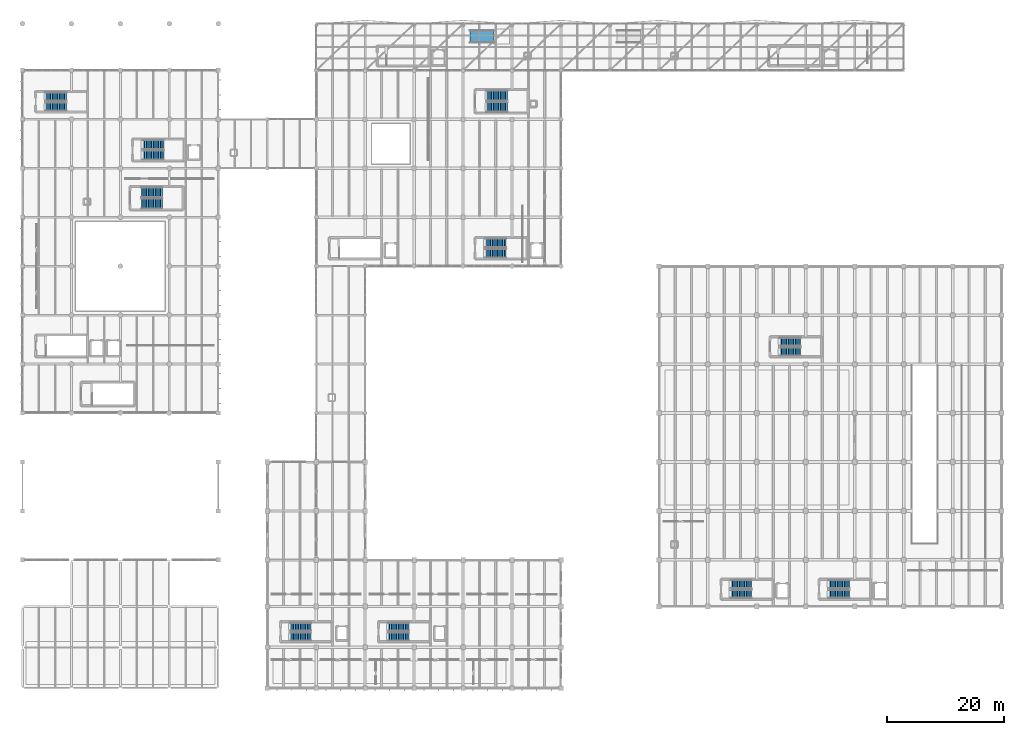
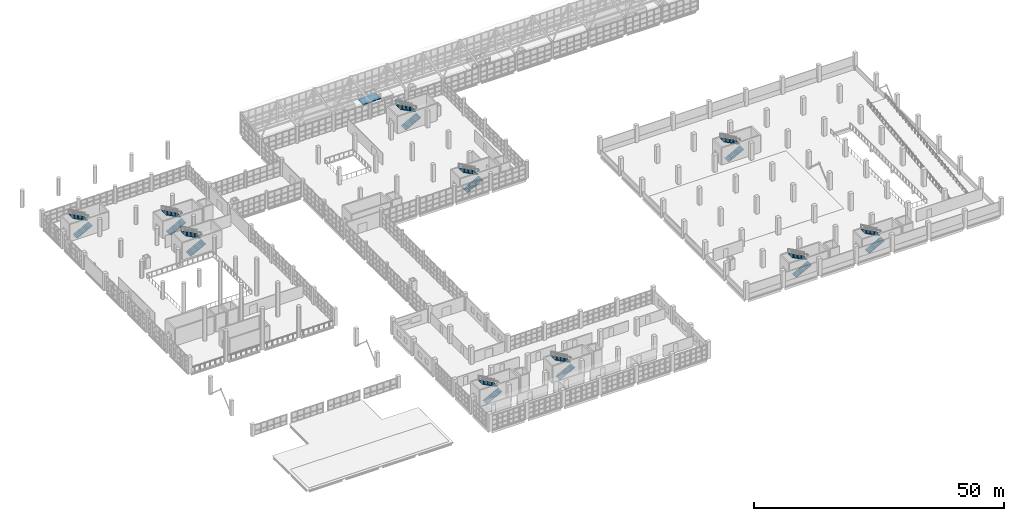
# One storey, part 156 of 177: 20 stair flights, 1 ramp flight, 11 elements without a shape of their own.
"""IFC4 building model written with IfcOpenShell, lengths in metres."""

from ifc_helpers import new_model, si_unit, direction, frame, origin, place, context, subcontext, project, spatial, polyline, outline, extrude, material, layer, layer_set, type_object, element, aggregate, save


model = new_model("IFC4")

# Units and contexts
model_context = context("Model", 3, precision=1e-05, world=origin(), true_north=direction((0.0, 1.0)))
body_context = subcontext(model_context, "Body", "Model", "MODEL_VIEW")
ifc_project = project(units=[si_unit("LENGTHUNIT", "METRE"), si_unit("AREAUNIT", "SQUARE_METRE"), si_unit("VOLUMEUNIT", "CUBIC_METRE"), si_unit("PLANEANGLEUNIT", "RADIAN"), si_unit("MASSUNIT", "GRAM", prefix="KILO"), si_unit("THERMODYNAMICTEMPERATUREUNIT", "KELVIN"), si_unit("POWERUNIT", "WATT")], contexts=[model_context])

# Site, building, storey
site_placement = place(None, origin())
site = spatial("IfcSite", under=ifc_project, at=site_placement, CompositionType="ELEMENT")
building_placement = place(site_placement, origin())
building = spatial("IfcBuilding", under=site, at=building_placement, Name="Mavoryth Pier Ferry Terminal", CompositionType="ELEMENT")
storey_placement = place(building_placement, frame((0.0, 0.0, 5.43994140625)))
storey = spatial("IfcBuildingStorey", under=building, at=storey_placement, Name="L01", CompositionType="ELEMENT", Elevation=5.43994140625)

# Stair, stair flights
ifc_material = material(Name="Concrete C35/45", Category="concrete")
stair_type_1 = type_object("IfcStairType", Name="Stair-Core-W1500", PredefinedType="TWO_STRAIGHT_RUN_STAIR", material=ifc_material)
stair_1_placement = place(storey_placement, origin())
stair_1 = element("IfcStair", 1, at=stair_1_placement, inside=storey, type_object=stair_type_1, Name="L01 Core C4A Stair", PredefinedType="TWO_STRAIGHT_RUN_STAIR")
ifc_layer_1 = layer(ifc_material, 0.14990234375, Name="Concrete C35/45", Category="concrete")
ifc_layer_set_1 = layer_set([ifc_layer_1], Name="Concrete C35/45 - Flight-Core-W1500")
stair_flight_type_1 = type_object("IfcStairFlightType", Name="Flight-Core-W1500", PredefinedType="STRAIGHT", material=ifc_layer_set_1)
stair_flight_1_placement = place(storey_placement, frame((121.5, 16.14990234375, 0.0), z_axis=(0.0, 0.0, 1.0), x_axis=(1.0, 0.0, 0.0)))
stair_flight_1 = element("IfcStairFlight", 2, at=stair_flight_1_placement, type_object=stair_flight_type_1, Name="ST08 flight 1", NumberOfRisers=13, NumberOfTreads=12, PredefinedType="STRAIGHT", RiserHeight=0.16, TreadLength=0.3, context=body_context, shape_type="SweptSolid", body=[
    extrude(outline(polyline([(0.0, 0.0), (0.0, 0.159912109375), (0.300048828125, 0.159912109375), (0.300048828125, 0.320068359375), (0.60009765625, 0.320068359375), (0.60009765625, 0.47998046875), (0.89990234375, 0.47998046875), (0.89990234375, 0.639892578125), (1.199951171875, 0.639892578125), (1.199951171875, 0.800048828125), (1.5, 0.800048828125), (1.5, 0.9599609375), (1.800048828125, 0.9599609375), (1.800048828125, 1.1201171875), (2.10009765625, 1.1201171875), (2.10009765625, 1.280029296875), (2.39990234375, 1.280029296875), (2.39990234375, 1.43994140625), (2.699951171875, 1.43994140625), (2.699951171875, 1.60009765625), (3.0, 1.60009765625), (3.0, 1.760009765625), (3.300048828125, 1.760009765625), (3.300048828125, 1.919921875), (3.60009765625, 1.919921875), (3.60009765625, 2.080078125), (3.60009765625, 1.75), (0.318603515625, 0.0), (0.0, 0.0)])), frame((0.0, 0.75, 0.0), z_axis=(0.0, -1.0, 0.0), x_axis=(1.0, 0.0, 0.0)), (0.0, 0.0, 1.0), 1.5),
])
stair_flight_2_placement = place(storey_placement, frame((125.10009765625, 17.800048828125, 2.080078125), z_axis=(0.0, 0.0, 1.0), x_axis=(-1.0, 0.0, 0.0)))
stair_flight_2 = element("IfcStairFlight", 3, at=stair_flight_2_placement, type_object=stair_flight_type_1, Name="ST08 flight 2", NumberOfRisers=13, NumberOfTreads=12, PredefinedType="STRAIGHT", RiserHeight=0.16, TreadLength=0.3, context=body_context, shape_type="SweptSolid", body=[
    extrude(outline(polyline([(0.0, 0.0), (0.0, 0.159912109375), (0.300048828125, 0.159912109375), (0.300048828125, 0.320068359375), (0.60009765625, 0.320068359375), (0.60009765625, 0.47998046875), (0.89990234375, 0.47998046875), (0.89990234375, 0.639892578125), (1.199951171875, 0.639892578125), (1.199951171875, 0.800048828125), (1.5, 0.800048828125), (1.5, 0.9599609375), (1.800048828125, 0.9599609375), (1.800048828125, 1.1201171875), (2.10009765625, 1.1201171875), (2.10009765625, 1.280029296875), (2.39990234375, 1.280029296875), (2.39990234375, 1.43994140625), (2.699951171875, 1.43994140625), (2.699951171875, 1.60009765625), (3.0, 1.60009765625), (3.0, 1.760009765625), (3.300048828125, 1.760009765625), (3.300048828125, 1.919921875), (3.60009765625, 1.919921875), (3.60009765625, 2.080078125), (3.60009765625, 1.75), (0.318603515625, 0.0), (0.0, 0.0)])), frame((0.0, 0.75, 0.0), z_axis=(0.0, -1.0, 0.0), x_axis=(1.0, 0.0, 0.0)), (0.0, 0.0, 1.0), 1.5),
])
aggregate(stair_1, [stair_flight_1, stair_flight_2])

stair_2_placement = place(storey_placement, origin())
stair_2 = element("IfcStair", 4, at=stair_2_placement, inside=storey, type_object=stair_type_1, Name="L01 Core C4B Stair", PredefinedType="TWO_STRAIGHT_RUN_STAIR")
stair_flight_3_placement = place(storey_placement, frame((138.300048828125, 16.14990234375, 0.0), z_axis=(0.0, 0.0, 1.0), x_axis=(1.0, 0.0, 0.0)))
stair_flight_3 = element("IfcStairFlight", 5, at=stair_flight_3_placement, type_object=stair_flight_type_1, Name="ST09 flight 1", NumberOfRisers=13, NumberOfTreads=12, PredefinedType="STRAIGHT", RiserHeight=0.16, TreadLength=0.3, context=body_context, shape_type="SweptSolid", body=[
    extrude(outline(polyline([(0.0, 0.0), (0.0, 0.159912109375), (0.300048828125, 0.159912109375), (0.300048828125, 0.320068359375), (0.60009765625, 0.320068359375), (0.60009765625, 0.47998046875), (0.89990234375, 0.47998046875), (0.89990234375, 0.639892578125), (1.199951171875, 0.639892578125), (1.199951171875, 0.800048828125), (1.5, 0.800048828125), (1.5, 0.9599609375), (1.800048828125, 0.9599609375), (1.800048828125, 1.1201171875), (2.10009765625, 1.1201171875), (2.10009765625, 1.280029296875), (2.39990234375, 1.280029296875), (2.39990234375, 1.43994140625), (2.699951171875, 1.43994140625), (2.699951171875, 1.60009765625), (3.0, 1.60009765625), (3.0, 1.760009765625), (3.300048828125, 1.760009765625), (3.300048828125, 1.919921875), (3.60009765625, 1.919921875), (3.60009765625, 2.080078125), (3.60009765625, 1.75), (0.318603515625, 0.0), (0.0, 0.0)])), frame((0.0, 0.75, 0.0), z_axis=(0.0, -1.0, 0.0), x_axis=(1.0, 0.0, 0.0)), (0.0, 0.0, 1.0), 1.5),
])
stair_flight_4_placement = place(storey_placement, frame((141.89990234375, 17.800048828125, 2.080078125), z_axis=(0.0, 0.0, 1.0), x_axis=(-1.0, 0.0, 0.0)))
stair_flight_4 = element("IfcStairFlight", 6, at=stair_flight_4_placement, type_object=stair_flight_type_1, Name="ST09 flight 2", NumberOfRisers=13, NumberOfTreads=12, PredefinedType="STRAIGHT", RiserHeight=0.16, TreadLength=0.3, context=body_context, shape_type="SweptSolid", body=[
    extrude(outline(polyline([(0.0, 0.0), (0.0, 0.159912109375), (0.300048828125, 0.159912109375), (0.300048828125, 0.320068359375), (0.60009765625, 0.320068359375), (0.60009765625, 0.47998046875), (0.89990234375, 0.47998046875), (0.89990234375, 0.639892578125), (1.199951171875, 0.639892578125), (1.199951171875, 0.800048828125), (1.5, 0.800048828125), (1.5, 0.9599609375), (1.800048828125, 0.9599609375), (1.800048828125, 1.1201171875), (2.10009765625, 1.1201171875), (2.10009765625, 1.280029296875), (2.39990234375, 1.280029296875), (2.39990234375, 1.43994140625), (2.699951171875, 1.43994140625), (2.699951171875, 1.60009765625), (3.0, 1.60009765625), (3.0, 1.760009765625), (3.300048828125, 1.760009765625), (3.300048828125, 1.919921875), (3.60009765625, 1.919921875), (3.60009765625, 2.080078125), (3.60009765625, 1.75), (0.318603515625, 0.0), (0.0, 0.0)])), frame((0.0, 0.75, 0.0), z_axis=(0.0, -1.0, 0.0), x_axis=(1.0, 0.0, 0.0)), (0.0, 0.0, 1.0), 1.5),
])
aggregate(stair_2, [stair_flight_3, stair_flight_4])

stair_3_placement = place(storey_placement, origin())
stair_3 = element("IfcStair", 7, at=stair_3_placement, inside=storey, type_object=stair_type_1, Name="L01 Core C4C Stair", PredefinedType="TWO_STRAIGHT_RUN_STAIR")
stair_flight_5_placement = place(storey_placement, frame((129.89990234375, 57.75, 0.0), z_axis=(0.0, 0.0, 1.0), x_axis=(1.0, 0.0, 0.0)))
stair_flight_5 = element("IfcStairFlight", 8, at=stair_flight_5_placement, type_object=stair_flight_type_1, Name="ST10 flight 1", NumberOfRisers=13, NumberOfTreads=12, PredefinedType="STRAIGHT", RiserHeight=0.16, TreadLength=0.3, context=body_context, shape_type="SweptSolid", body=[
    extrude(outline(polyline([(0.0, 0.0), (0.0, 0.159912109375), (0.300048828125, 0.159912109375), (0.300048828125, 0.320068359375), (0.60009765625, 0.320068359375), (0.60009765625, 0.47998046875), (0.89990234375, 0.47998046875), (0.89990234375, 0.639892578125), (1.199951171875, 0.639892578125), (1.199951171875, 0.800048828125), (1.5, 0.800048828125), (1.5, 0.9599609375), (1.800048828125, 0.9599609375), (1.800048828125, 1.1201171875), (2.10009765625, 1.1201171875), (2.10009765625, 1.280029296875), (2.39990234375, 1.280029296875), (2.39990234375, 1.43994140625), (2.699951171875, 1.43994140625), (2.699951171875, 1.60009765625), (3.0, 1.60009765625), (3.0, 1.760009765625), (3.300048828125, 1.760009765625), (3.300048828125, 1.919921875), (3.60009765625, 1.919921875), (3.60009765625, 2.080078125), (3.60009765625, 1.75), (0.318603515625, 0.0), (0.0, 0.0)])), frame((0.0, 0.75, 0.0), z_axis=(0.0, -1.0, 0.0), x_axis=(1.0, 0.0, 0.0)), (0.0, 0.0, 1.0), 1.5),
])
stair_flight_6_placement = place(storey_placement, frame((133.5, 59.39990234375, 2.080078125), z_axis=(0.0, 0.0, 1.0), x_axis=(-1.0, 0.0, 0.0)))
stair_flight_6 = element("IfcStairFlight", 9, at=stair_flight_6_placement, type_object=stair_flight_type_1, Name="ST10 flight 2", NumberOfRisers=13, NumberOfTreads=12, PredefinedType="STRAIGHT", RiserHeight=0.16, TreadLength=0.3, context=body_context, shape_type="SweptSolid", body=[
    extrude(outline(polyline([(0.0, 0.0), (0.0, 0.159912109375), (0.300048828125, 0.159912109375), (0.300048828125, 0.320068359375), (0.60009765625, 0.320068359375), (0.60009765625, 0.47998046875), (0.89990234375, 0.47998046875), (0.89990234375, 0.639892578125), (1.199951171875, 0.639892578125), (1.199951171875, 0.800048828125), (1.5, 0.800048828125), (1.5, 0.9599609375), (1.800048828125, 0.9599609375), (1.800048828125, 1.1201171875), (2.10009765625, 1.1201171875), (2.10009765625, 1.280029296875), (2.39990234375, 1.280029296875), (2.39990234375, 1.43994140625), (2.699951171875, 1.43994140625), (2.699951171875, 1.60009765625), (3.0, 1.60009765625), (3.0, 1.760009765625), (3.300048828125, 1.760009765625), (3.300048828125, 1.919921875), (3.60009765625, 1.919921875), (3.60009765625, 2.080078125), (3.60009765625, 1.75), (0.318603515625, 0.0), (0.0, 0.0)])), frame((0.0, 0.75, 0.0), z_axis=(0.0, -1.0, 0.0), x_axis=(1.0, 0.0, 0.0)), (0.0, 0.0, 1.0), 1.5),
])
aggregate(stair_3, [stair_flight_5, stair_flight_6])

stair_4_placement = place(storey_placement, origin())
stair_4 = element("IfcStair", 10, at=stair_4_placement, inside=storey, type_object=stair_type_1, Name="L01 Core C5A Stair", PredefinedType="TWO_STRAIGHT_RUN_STAIR")
stair_flight_7_placement = place(storey_placement, frame((45.89990234375, 8.85009765625, 0.0), z_axis=(0.0, 0.0, 1.0), x_axis=(1.0, 0.0, 0.0)))
stair_flight_7 = element("IfcStairFlight", 11, at=stair_flight_7_placement, type_object=stair_flight_type_1, Name="ST11 flight 1", NumberOfRisers=13, NumberOfTreads=12, PredefinedType="STRAIGHT", RiserHeight=0.16, TreadLength=0.3, context=body_context, shape_type="SweptSolid", body=[
    extrude(outline(polyline([(0.0, 0.0), (0.0, 0.159912109375), (0.300048828125, 0.159912109375), (0.300048828125, 0.320068359375), (0.60009765625, 0.320068359375), (0.60009765625, 0.47998046875), (0.89990234375, 0.47998046875), (0.89990234375, 0.639892578125), (1.199951171875, 0.639892578125), (1.199951171875, 0.800048828125), (1.5, 0.800048828125), (1.5, 0.9599609375), (1.800048828125, 0.9599609375), (1.800048828125, 1.1201171875), (2.10009765625, 1.1201171875), (2.10009765625, 1.280029296875), (2.39990234375, 1.280029296875), (2.39990234375, 1.43994140625), (2.699951171875, 1.43994140625), (2.699951171875, 1.60009765625), (3.0, 1.60009765625), (3.0, 1.760009765625), (3.300048828125, 1.760009765625), (3.300048828125, 1.919921875), (3.60009765625, 1.919921875), (3.60009765625, 2.080078125), (3.60009765625, 1.75), (0.318603515625, 0.0), (0.0, 0.0)])), frame((0.0, 0.75, 0.0), z_axis=(0.0, -1.0, 0.0), x_axis=(1.0, 0.0, 0.0)), (0.0, 0.0, 1.0), 1.5),
])
stair_flight_8_placement = place(storey_placement, frame((49.5, 10.5, 2.080078125), z_axis=(0.0, 0.0, 1.0), x_axis=(-1.0, 0.0, 0.0)))
stair_flight_8 = element("IfcStairFlight", 12, at=stair_flight_8_placement, type_object=stair_flight_type_1, Name="ST11 flight 2", NumberOfRisers=13, NumberOfTreads=12, PredefinedType="STRAIGHT", RiserHeight=0.16, TreadLength=0.3, context=body_context, shape_type="SweptSolid", body=[
    extrude(outline(polyline([(0.0, 0.0), (0.0, 0.159912109375), (0.300048828125, 0.159912109375), (0.300048828125, 0.320068359375), (0.60009765625, 0.320068359375), (0.60009765625, 0.47998046875), (0.89990234375, 0.47998046875), (0.89990234375, 0.639892578125), (1.199951171875, 0.639892578125), (1.199951171875, 0.800048828125), (1.5, 0.800048828125), (1.5, 0.9599609375), (1.800048828125, 0.9599609375), (1.800048828125, 1.1201171875), (2.10009765625, 1.1201171875), (2.10009765625, 1.280029296875), (2.39990234375, 1.280029296875), (2.39990234375, 1.43994140625), (2.699951171875, 1.43994140625), (2.699951171875, 1.60009765625), (3.0, 1.60009765625), (3.0, 1.760009765625), (3.300048828125, 1.760009765625), (3.300048828125, 1.919921875), (3.60009765625, 1.919921875), (3.60009765625, 2.080078125), (3.60009765625, 1.75), (0.318603515625, 0.0), (0.0, 0.0)])), frame((0.0, 0.75, 0.0), z_axis=(0.0, -1.0, 0.0), x_axis=(1.0, 0.0, 0.0)), (0.0, 0.0, 1.0), 1.5),
])
aggregate(stair_4, [stair_flight_7, stair_flight_8])

stair_5_placement = place(storey_placement, origin())
stair_5 = element("IfcStair", 13, at=stair_5_placement, inside=storey, type_object=stair_type_1, Name="L01 Core C5B Stair", PredefinedType="TWO_STRAIGHT_RUN_STAIR")
stair_flight_9_placement = place(storey_placement, frame((62.699951171875, 8.85009765625, 0.0), z_axis=(0.0, 0.0, 1.0), x_axis=(1.0, 0.0, 0.0)))
stair_flight_9 = element("IfcStairFlight", 14, at=stair_flight_9_placement, type_object=stair_flight_type_1, Name="ST12 flight 1", NumberOfRisers=13, NumberOfTreads=12, PredefinedType="STRAIGHT", RiserHeight=0.16, TreadLength=0.3, context=body_context, shape_type="SweptSolid", body=[
    extrude(outline(polyline([(0.0, 0.0), (0.0, 0.159912109375), (0.300048828125, 0.159912109375), (0.300048828125, 0.320068359375), (0.60009765625, 0.320068359375), (0.60009765625, 0.47998046875), (0.89990234375, 0.47998046875), (0.89990234375, 0.639892578125), (1.199951171875, 0.639892578125), (1.199951171875, 0.800048828125), (1.5, 0.800048828125), (1.5, 0.9599609375), (1.800048828125, 0.9599609375), (1.800048828125, 1.1201171875), (2.10009765625, 1.1201171875), (2.10009765625, 1.280029296875), (2.39990234375, 1.280029296875), (2.39990234375, 1.43994140625), (2.699951171875, 1.43994140625), (2.699951171875, 1.60009765625), (3.0, 1.60009765625), (3.0, 1.760009765625), (3.300048828125, 1.760009765625), (3.300048828125, 1.919921875), (3.60009765625, 1.919921875), (3.60009765625, 2.080078125), (3.60009765625, 1.75), (0.318603515625, 0.0), (0.0, 0.0)])), frame((0.0, 0.75, 0.0), z_axis=(0.0, -1.0, 0.0), x_axis=(1.0, 0.0, 0.0)), (0.0, 0.0, 1.0), 1.5),
])
stair_flight_10_placement = place(storey_placement, frame((66.300048828125, 10.5, 2.080078125), z_axis=(0.0, 0.0, 1.0), x_axis=(-1.0, 0.0, 0.0)))
stair_flight_10 = element("IfcStairFlight", 15, at=stair_flight_10_placement, type_object=stair_flight_type_1, Name="ST12 flight 2", NumberOfRisers=13, NumberOfTreads=12, PredefinedType="STRAIGHT", RiserHeight=0.16, TreadLength=0.3, context=body_context, shape_type="SweptSolid", body=[
    extrude(outline(polyline([(0.0, 0.0), (0.0, 0.159912109375), (0.300048828125, 0.159912109375), (0.300048828125, 0.320068359375), (0.60009765625, 0.320068359375), (0.60009765625, 0.47998046875), (0.89990234375, 0.47998046875), (0.89990234375, 0.639892578125), (1.199951171875, 0.639892578125), (1.199951171875, 0.800048828125), (1.5, 0.800048828125), (1.5, 0.9599609375), (1.800048828125, 0.9599609375), (1.800048828125, 1.1201171875), (2.10009765625, 1.1201171875), (2.10009765625, 1.280029296875), (2.39990234375, 1.280029296875), (2.39990234375, 1.43994140625), (2.699951171875, 1.43994140625), (2.699951171875, 1.60009765625), (3.0, 1.60009765625), (3.0, 1.760009765625), (3.300048828125, 1.760009765625), (3.300048828125, 1.919921875), (3.60009765625, 1.919921875), (3.60009765625, 2.080078125), (3.60009765625, 1.75), (0.318603515625, 0.0), (0.0, 0.0)])), frame((0.0, 0.75, 0.0), z_axis=(0.0, -1.0, 0.0), x_axis=(1.0, 0.0, 0.0)), (0.0, 0.0, 1.0), 1.5),
])
aggregate(stair_5, [stair_flight_9, stair_flight_10])

stair_type_2 = type_object("IfcStairType", Name="Stair-Core-W1550", PredefinedType="TWO_STRAIGHT_RUN_STAIR", material=ifc_material)
stair_6_placement = place(storey_placement, origin())
stair_6 = element("IfcStair", 16, at=stair_6_placement, inside=storey, type_object=stair_type_2, Name="L01 Core C1C Stair", PredefinedType="TWO_STRAIGHT_RUN_STAIR")
ifc_layer_2 = layer(ifc_material, 0.14990234375, Name="Concrete C35/45", Category="concrete")
ifc_layer_set_2 = layer_set([ifc_layer_2], Name="Concrete C35/45 - Flight-Core-W1550")
stair_flight_type_2 = type_object("IfcStairFlightType", Name="Flight-Core-W1550", PredefinedType="STRAIGHT", material=ifc_layer_set_2)
stair_flight_11_placement = place(storey_placement, frame((3.949951171875, 99.77490234375, 0.0), z_axis=(0.0, 0.0, 1.0), x_axis=(1.0, 0.0, 0.0)))
stair_flight_11 = element("IfcStairFlight", 17, at=stair_flight_11_placement, type_object=stair_flight_type_2, Name="ST03 flight 1", NumberOfRisers=13, NumberOfTreads=12, PredefinedType="STRAIGHT", RiserHeight=0.16, TreadLength=0.3, context=body_context, shape_type="SweptSolid", body=[
    extrude(outline(polyline([(0.0, 0.0), (0.0, 0.159912109375), (0.300048828125, 0.159912109375), (0.300048828125, 0.320068359375), (0.60009765625, 0.320068359375), (0.60009765625, 0.47998046875), (0.89990234375, 0.47998046875), (0.89990234375, 0.639892578125), (1.199951171875, 0.639892578125), (1.199951171875, 0.800048828125), (1.5, 0.800048828125), (1.5, 0.9599609375), (1.800048828125, 0.9599609375), (1.800048828125, 1.1201171875), (2.10009765625, 1.1201171875), (2.10009765625, 1.280029296875), (2.39990234375, 1.280029296875), (2.39990234375, 1.43994140625), (2.699951171875, 1.43994140625), (2.699951171875, 1.60009765625), (3.0, 1.60009765625), (3.0, 1.760009765625), (3.300048828125, 1.760009765625), (3.300048828125, 1.919921875), (3.60009765625, 1.919921875), (3.60009765625, 2.080078125), (3.60009765625, 1.75), (0.318603515625, 0.0), (0.0, 0.0)])), frame((0.0, 0.77490234375, 0.0), z_axis=(0.0, -1.0, 0.0), x_axis=(1.0, 0.0, 0.0)), (0.0, 0.0, 1.0), 1.550048828125),
])
stair_flight_12_placement = place(storey_placement, frame((7.550048828125, 101.47509765625, 2.080078125), z_axis=(0.0, 0.0, 1.0), x_axis=(-1.0, 0.0, 0.0)))
stair_flight_12 = element("IfcStairFlight", 18, at=stair_flight_12_placement, type_object=stair_flight_type_2, Name="ST03 flight 2", NumberOfRisers=13, NumberOfTreads=12, PredefinedType="STRAIGHT", RiserHeight=0.16, TreadLength=0.3, context=body_context, shape_type="SweptSolid", body=[
    extrude(outline(polyline([(0.0, 0.0), (0.0, 0.159912109375), (0.300048828125, 0.159912109375), (0.300048828125, 0.320068359375), (0.60009765625, 0.320068359375), (0.60009765625, 0.47998046875), (0.89990234375, 0.47998046875), (0.89990234375, 0.639892578125), (1.199951171875, 0.639892578125), (1.199951171875, 0.800048828125), (1.5, 0.800048828125), (1.5, 0.9599609375), (1.800048828125, 0.9599609375), (1.800048828125, 1.1201171875), (2.10009765625, 1.1201171875), (2.10009765625, 1.280029296875), (2.39990234375, 1.280029296875), (2.39990234375, 1.43994140625), (2.699951171875, 1.43994140625), (2.699951171875, 1.60009765625), (3.0, 1.60009765625), (3.0, 1.760009765625), (3.300048828125, 1.760009765625), (3.300048828125, 1.919921875), (3.60009765625, 1.919921875), (3.60009765625, 2.080078125), (3.60009765625, 1.75), (0.318603515625, 0.0), (0.0, 0.0)])), frame((0.0, 0.77490234375, 0.0), z_axis=(0.0, -1.0, 0.0), x_axis=(1.0, 0.0, 0.0)), (0.0, 0.0, 1.0), 1.550048828125),
])
aggregate(stair_6, [stair_flight_11, stair_flight_12])

stair_type_3 = type_object("IfcStairType", Name="Stair-Core-W1600", PredefinedType="TWO_STRAIGHT_RUN_STAIR", material=ifc_material)
stair_7_placement = place(storey_placement, origin())
stair_7 = element("IfcStair", 19, at=stair_7_placement, inside=storey, type_object=stair_type_3, Name="L01 Core C2B Stair", PredefinedType="TWO_STRAIGHT_RUN_STAIR")
ifc_layer_3 = layer(ifc_material, 0.159912109375, Name="Concrete C35/45", Category="concrete")
ifc_layer_set_3 = layer_set([ifc_layer_3], Name="Concrete C35/45 - Flight-Core-W1600")
stair_flight_type_3 = type_object("IfcStairFlightType", Name="Flight-Core-W1600", PredefinedType="STRAIGHT", material=ifc_layer_set_3)
stair_flight_13_placement = place(storey_placement, frame((79.39990234375, 74.60009765625, 0.0), z_axis=(0.0, 0.0, 1.0), x_axis=(1.0, 0.0, 0.0)))
stair_flight_13 = element("IfcStairFlight", 20, at=stair_flight_13_placement, type_object=stair_flight_type_3, Name="ST05 flight 1", NumberOfRisers=13, NumberOfTreads=12, PredefinedType="STRAIGHT", RiserHeight=0.16, TreadLength=0.3, context=body_context, shape_type="SweptSolid", body=[
    extrude(outline(polyline([(0.0, 0.0), (0.0, 0.159912109375), (0.300048828125, 0.159912109375), (0.300048828125, 0.320068359375), (0.60009765625, 0.320068359375), (0.60009765625, 0.47998046875), (0.89990234375, 0.47998046875), (0.89990234375, 0.639892578125), (1.199951171875, 0.639892578125), (1.199951171875, 0.800048828125), (1.5, 0.800048828125), (1.5, 0.9599609375), (1.800048828125, 0.9599609375), (1.800048828125, 1.1201171875), (2.10009765625, 1.1201171875), (2.10009765625, 1.280029296875), (2.39990234375, 1.280029296875), (2.39990234375, 1.43994140625), (2.699951171875, 1.43994140625), (2.699951171875, 1.60009765625), (3.0, 1.60009765625), (3.0, 1.760009765625), (3.300048828125, 1.760009765625), (3.300048828125, 1.919921875), (3.60009765625, 1.919921875), (3.60009765625, 2.080078125), (3.60009765625, 1.75), (0.318603515625, 0.0), (0.0, 0.0)])), frame((0.0, 0.800048828125, 0.0), z_axis=(0.0, -1.0, 0.0), x_axis=(1.0, 0.0, 0.0)), (0.0, 0.0, 1.0), 1.60009765625),
])
stair_flight_14_placement = place(storey_placement, frame((83.0, 76.35009765625, 2.080078125), z_axis=(0.0, 0.0, 1.0), x_axis=(-1.0, 0.0, 0.0)))
stair_flight_14 = element("IfcStairFlight", 21, at=stair_flight_14_placement, type_object=stair_flight_type_3, Name="ST05 flight 2", NumberOfRisers=13, NumberOfTreads=12, PredefinedType="STRAIGHT", RiserHeight=0.16, TreadLength=0.3, context=body_context, shape_type="SweptSolid", body=[
    extrude(outline(polyline([(0.0, 0.0), (0.0, 0.159912109375), (0.300048828125, 0.159912109375), (0.300048828125, 0.320068359375), (0.60009765625, 0.320068359375), (0.60009765625, 0.47998046875), (0.89990234375, 0.47998046875), (0.89990234375, 0.639892578125), (1.199951171875, 0.639892578125), (1.199951171875, 0.800048828125), (1.5, 0.800048828125), (1.5, 0.9599609375), (1.800048828125, 0.9599609375), (1.800048828125, 1.1201171875), (2.10009765625, 1.1201171875), (2.10009765625, 1.280029296875), (2.39990234375, 1.280029296875), (2.39990234375, 1.43994140625), (2.699951171875, 1.43994140625), (2.699951171875, 1.60009765625), (3.0, 1.60009765625), (3.0, 1.760009765625), (3.300048828125, 1.760009765625), (3.300048828125, 1.919921875), (3.60009765625, 1.919921875), (3.60009765625, 2.080078125), (3.60009765625, 1.75), (0.318603515625, 0.0), (0.0, 0.0)])), frame((0.0, 0.800048828125, 0.0), z_axis=(0.0, -1.0, 0.0), x_axis=(1.0, 0.0, 0.0)), (0.0, 0.0, 1.0), 1.60009765625),
])
aggregate(stair_7, [stair_flight_13, stair_flight_14])

stair_type_4 = type_object("IfcStairType", Name="Stair-Core-W1650", PredefinedType="TWO_STRAIGHT_RUN_STAIR", material=ifc_material)
stair_8_placement = place(storey_placement, origin())
stair_8 = element("IfcStair", 22, at=stair_8_placement, inside=storey, type_object=stair_type_4, Name="L01 Core C1B Stair", PredefinedType="TWO_STRAIGHT_RUN_STAIR")
ifc_layer_4 = layer(ifc_material, 0.159912109375, Name="Concrete C35/45", Category="concrete")
ifc_layer_set_4 = layer_set([ifc_layer_4], Name="Concrete C35/45 - Flight-Core-W1650")
stair_flight_type_4 = type_object("IfcStairFlightType", Name="Flight-Core-W1650", PredefinedType="STRAIGHT", material=ifc_layer_set_4)
stair_flight_15_placement = place(storey_placement, frame((20.64990234375, 91.425048828125, 0.0), z_axis=(0.0, 0.0, 1.0), x_axis=(1.0, 0.0, 0.0)))
stair_flight_15 = element("IfcStairFlight", 23, at=stair_flight_15_placement, type_object=stair_flight_type_4, Name="ST02 flight 1", NumberOfRisers=13, NumberOfTreads=12, PredefinedType="STRAIGHT", RiserHeight=0.16, TreadLength=0.3, context=body_context, shape_type="SweptSolid", body=[
    extrude(outline(polyline([(0.0, 0.0), (0.0, 0.159912109375), (0.300048828125, 0.159912109375), (0.300048828125, 0.320068359375), (0.60009765625, 0.320068359375), (0.60009765625, 0.47998046875), (0.89990234375, 0.47998046875), (0.89990234375, 0.639892578125), (1.199951171875, 0.639892578125), (1.199951171875, 0.800048828125), (1.5, 0.800048828125), (1.5, 0.9599609375), (1.800048828125, 0.9599609375), (1.800048828125, 1.1201171875), (2.10009765625, 1.1201171875), (2.10009765625, 1.280029296875), (2.39990234375, 1.280029296875), (2.39990234375, 1.43994140625), (2.699951171875, 1.43994140625), (2.699951171875, 1.60009765625), (3.0, 1.60009765625), (3.0, 1.760009765625), (3.300048828125, 1.760009765625), (3.300048828125, 1.919921875), (3.60009765625, 1.919921875), (3.60009765625, 2.080078125), (3.60009765625, 1.75), (0.318603515625, 0.0), (0.0, 0.0)])), frame((0.0, 0.824951171875, 0.0), z_axis=(0.0, -1.0, 0.0), x_axis=(1.0, 0.0, 0.0)), (0.0, 0.0, 1.0), 1.64990234375),
])
stair_flight_16_placement = place(storey_placement, frame((24.25, 93.22509765625, 2.080078125), z_axis=(0.0, 0.0, 1.0), x_axis=(-1.0, 0.0, 0.0)))
stair_flight_16 = element("IfcStairFlight", 24, at=stair_flight_16_placement, type_object=stair_flight_type_4, Name="ST02 flight 2", NumberOfRisers=13, NumberOfTreads=12, PredefinedType="STRAIGHT", RiserHeight=0.16, TreadLength=0.3, context=body_context, shape_type="SweptSolid", body=[
    extrude(outline(polyline([(0.0, 0.0), (0.0, 0.159912109375), (0.300048828125, 0.159912109375), (0.300048828125, 0.320068359375), (0.60009765625, 0.320068359375), (0.60009765625, 0.47998046875), (0.89990234375, 0.47998046875), (0.89990234375, 0.639892578125), (1.199951171875, 0.639892578125), (1.199951171875, 0.800048828125), (1.5, 0.800048828125), (1.5, 0.9599609375), (1.800048828125, 0.9599609375), (1.800048828125, 1.1201171875), (2.10009765625, 1.1201171875), (2.10009765625, 1.280029296875), (2.39990234375, 1.280029296875), (2.39990234375, 1.43994140625), (2.699951171875, 1.43994140625), (2.699951171875, 1.60009765625), (3.0, 1.60009765625), (3.0, 1.760009765625), (3.300048828125, 1.760009765625), (3.300048828125, 1.919921875), (3.60009765625, 1.919921875), (3.60009765625, 2.080078125), (3.60009765625, 1.75), (0.318603515625, 0.0), (0.0, 0.0)])), frame((0.0, 0.824951171875, 0.0), z_axis=(0.0, -1.0, 0.0), x_axis=(1.0, 0.0, 0.0)), (0.0, 0.0, 1.0), 1.64990234375),
])
aggregate(stair_8, [stair_flight_15, stair_flight_16])

stair_type_5 = type_object("IfcStairType", Name="Stair-Feature-W1800", PredefinedType="TWO_STRAIGHT_RUN_STAIR", material=ifc_material)
stair_9_placement = place(storey_placement, origin())
stair_9 = element("IfcStair", 25, at=stair_9_placement, inside=storey, type_object=stair_type_5, Name="L01 Sea-View Lounge Feature Stair", PredefinedType="TWO_STRAIGHT_RUN_STAIR")
ifc_layer_5 = layer(ifc_material, 0.179931640625, Name="Concrete C35/45", Category="concrete")
ifc_layer_set_5 = layer_set([ifc_layer_5], Name="Concrete C35/45 - Flight-Feature-W1800")
stair_flight_type_5 = type_object("IfcStairFlightType", Name="Flight-Feature-W1800", PredefinedType="STRAIGHT", material=ifc_layer_set_5)
stair_flight_17_placement = place(storey_placement, frame((20.39990234375, 83.10009765625, 0.0), z_axis=(0.0, 0.0, 1.0), x_axis=(1.0, 0.0, 0.0)))
stair_flight_17 = element("IfcStairFlight", 26, at=stair_flight_17_placement, type_object=stair_flight_type_5, Name="ST14 flight 1", NumberOfRisers=13, NumberOfTreads=12, PredefinedType="STRAIGHT", RiserHeight=0.16, TreadLength=0.3, context=body_context, shape_type="SweptSolid", body=[
    extrude(outline(polyline([(0.0, 0.0), (0.0, 0.159912109375), (0.300048828125, 0.159912109375), (0.300048828125, 0.320068359375), (0.60009765625, 0.320068359375), (0.60009765625, 0.47998046875), (0.89990234375, 0.47998046875), (0.89990234375, 0.639892578125), (1.199951171875, 0.639892578125), (1.199951171875, 0.800048828125), (1.5, 0.800048828125), (1.5, 0.9599609375), (1.800048828125, 0.9599609375), (1.800048828125, 1.1201171875), (2.10009765625, 1.1201171875), (2.10009765625, 1.280029296875), (2.39990234375, 1.280029296875), (2.39990234375, 1.43994140625), (2.699951171875, 1.43994140625), (2.699951171875, 1.60009765625), (3.0, 1.60009765625), (3.0, 1.760009765625), (3.300048828125, 1.760009765625), (3.300048828125, 1.919921875), (3.60009765625, 1.919921875), (3.60009765625, 2.080078125), (3.60009765625, 1.75), (0.318603515625, 0.0), (0.0, 0.0)])), frame((0.0, 0.89990234375, 0.0), z_axis=(0.0, -1.0, 0.0), x_axis=(1.0, 0.0, 0.0)), (0.0, 0.0, 1.0), 1.800048828125),
])
stair_flight_18_placement = place(storey_placement, frame((24.0, 85.050048828125, 2.080078125), z_axis=(0.0, 0.0, 1.0), x_axis=(-1.0, 0.0, 0.0)))
stair_flight_18 = element("IfcStairFlight", 27, at=stair_flight_18_placement, type_object=stair_flight_type_5, Name="ST14 flight 2", NumberOfRisers=13, NumberOfTreads=12, PredefinedType="STRAIGHT", RiserHeight=0.16, TreadLength=0.3, context=body_context, shape_type="SweptSolid", body=[
    extrude(outline(polyline([(0.0, 0.0), (0.0, 0.159912109375), (0.300048828125, 0.159912109375), (0.300048828125, 0.320068359375), (0.60009765625, 0.320068359375), (0.60009765625, 0.47998046875), (0.89990234375, 0.47998046875), (0.89990234375, 0.639892578125), (1.199951171875, 0.639892578125), (1.199951171875, 0.800048828125), (1.5, 0.800048828125), (1.5, 0.9599609375), (1.800048828125, 0.9599609375), (1.800048828125, 1.1201171875), (2.10009765625, 1.1201171875), (2.10009765625, 1.280029296875), (2.39990234375, 1.280029296875), (2.39990234375, 1.43994140625), (2.699951171875, 1.43994140625), (2.699951171875, 1.60009765625), (3.0, 1.60009765625), (3.0, 1.760009765625), (3.300048828125, 1.760009765625), (3.300048828125, 1.919921875), (3.60009765625, 1.919921875), (3.60009765625, 2.080078125), (3.60009765625, 1.75), (0.318603515625, 0.0), (0.0, 0.0)])), frame((0.0, 0.89990234375, 0.0), z_axis=(0.0, -1.0, 0.0), x_axis=(1.0, 0.0, 0.0)), (0.0, 0.0, 1.0), 1.800048828125),
])
aggregate(stair_9, [stair_flight_17, stair_flight_18])

stair_10_placement = place(storey_placement, origin())
stair_10 = element("IfcStair", 28, at=stair_10_placement, inside=storey, type_object=stair_type_5, Name="L01 Arrivals & Quay Promenade Stair", PredefinedType="TWO_STRAIGHT_RUN_STAIR")
stair_flight_19_placement = place(storey_placement, frame((79.60009765625, 99.699951171875, 0.0), z_axis=(0.0, 0.0, 1.0), x_axis=(1.0, 0.0, 0.0)))
stair_flight_19 = element("IfcStairFlight", 29, at=stair_flight_19_placement, type_object=stair_flight_type_5, Name="ST15 flight 1", NumberOfRisers=13, NumberOfTreads=12, PredefinedType="STRAIGHT", RiserHeight=0.16, TreadLength=0.3, context=body_context, shape_type="SweptSolid", body=[
    extrude(outline(polyline([(0.0, 0.0), (0.0, 0.159912109375), (0.300048828125, 0.159912109375), (0.300048828125, 0.320068359375), (0.60009765625, 0.320068359375), (0.60009765625, 0.47998046875), (0.89990234375, 0.47998046875), (0.89990234375, 0.639892578125), (1.199951171875, 0.639892578125), (1.199951171875, 0.800048828125), (1.5, 0.800048828125), (1.5, 0.9599609375), (1.800048828125, 0.9599609375), (1.800048828125, 1.1201171875), (2.10009765625, 1.1201171875), (2.10009765625, 1.280029296875), (2.39990234375, 1.280029296875), (2.39990234375, 1.43994140625), (2.699951171875, 1.43994140625), (2.699951171875, 1.60009765625), (3.0, 1.60009765625), (3.0, 1.760009765625), (3.300048828125, 1.760009765625), (3.300048828125, 1.919921875), (3.60009765625, 1.919921875), (3.60009765625, 2.080078125), (3.60009765625, 1.75), (0.318603515625, 0.0), (0.0, 0.0)])), frame((0.0, 0.89990234375, 0.0), z_axis=(0.0, -1.0, 0.0), x_axis=(1.0, 0.0, 0.0)), (0.0, 0.0, 1.0), 1.800048828125),
])
stair_flight_20_placement = place(storey_placement, frame((83.199951171875, 101.64990234375, 2.080078125), z_axis=(0.0, 0.0, 1.0), x_axis=(-1.0, 0.0, 0.0)))
stair_flight_20 = element("IfcStairFlight", 30, at=stair_flight_20_placement, type_object=stair_flight_type_5, Name="ST15 flight 2", NumberOfRisers=13, NumberOfTreads=12, PredefinedType="STRAIGHT", RiserHeight=0.16, TreadLength=0.3, context=body_context, shape_type="SweptSolid", body=[
    extrude(outline(polyline([(0.0, 0.0), (0.0, 0.159912109375), (0.300048828125, 0.159912109375), (0.300048828125, 0.320068359375), (0.60009765625, 0.320068359375), (0.60009765625, 0.47998046875), (0.89990234375, 0.47998046875), (0.89990234375, 0.639892578125), (1.199951171875, 0.639892578125), (1.199951171875, 0.800048828125), (1.5, 0.800048828125), (1.5, 0.9599609375), (1.800048828125, 0.9599609375), (1.800048828125, 1.1201171875), (2.10009765625, 1.1201171875), (2.10009765625, 1.280029296875), (2.39990234375, 1.280029296875), (2.39990234375, 1.43994140625), (2.699951171875, 1.43994140625), (2.699951171875, 1.60009765625), (3.0, 1.60009765625), (3.0, 1.760009765625), (3.300048828125, 1.760009765625), (3.300048828125, 1.919921875), (3.60009765625, 1.919921875), (3.60009765625, 2.080078125), (3.60009765625, 1.75), (0.318603515625, 0.0), (0.0, 0.0)])), frame((0.0, 0.89990234375, 0.0), z_axis=(0.0, -1.0, 0.0), x_axis=(1.0, 0.0, 0.0)), (0.0, 0.0, 1.0), 1.800048828125),
])
aggregate(stair_10, [stair_flight_19, stair_flight_20])

# Ramp, ramp flight
ramp_type = type_object("IfcRampType", Name="Ramp-Gangway-Access", PredefinedType="TWO_STRAIGHT_RUN_RAMP", material=ifc_material)
ramp_placement = place(storey_placement, origin())
ramp = element("IfcRamp", 31, at=ramp_placement, inside=storey, type_object=ramp_type, material=ifc_material, Name="Ramp BR01", PredefinedType="TWO_STRAIGHT_RUN_RAMP")
ifc_layer_6 = layer(ifc_material, 0.219970703125, Name="Concrete C35/45", Category="concrete")
ifc_layer_set_6 = layer_set([ifc_layer_6], Name="Concrete C35/45 - RampFlight-Gangway-220")
ramp_flight_type = type_object("IfcRampFlightType", Name="RampFlight-Gangway-220", PredefinedType="STRAIGHT", material=ifc_layer_set_6)
ramp_flight_placement = place(storey_placement, frame((76.800048828125, 111.800048828125, 0.0), z_axis=(0.0, 0.0, 1.0), x_axis=(1.0, 0.0, 0.0)))
ramp_flight = element("IfcRampFlight", 32, at=ramp_flight_placement, type_object=ramp_flight_type, material=ifc_material, Name="Ramp BR01 Flight 1", PredefinedType="STRAIGHT", context=body_context, shape_type="SweptSolid", body=[
    extrude(outline(polyline([(0.0, 0.0), (4.0, 0.239990234375), (4.0, 0.02001953125), (0.0, -0.219970703125), (0.0, 0.0)])), frame((0.0, 1.10009765625, 0.0), z_axis=(0.0, -1.0, 0.0), x_axis=(1.0, 0.0, 0.0)), (0.0, 0.0, 1.0), 2.199951171875),
])
aggregate(ramp, [ramp_flight])

save(model, "model.ifc")
